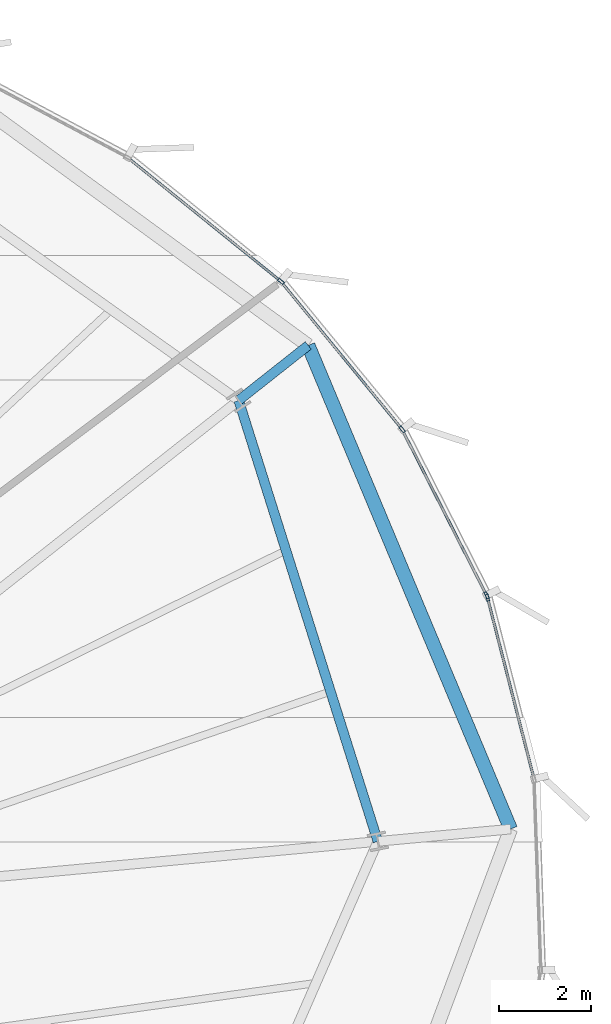
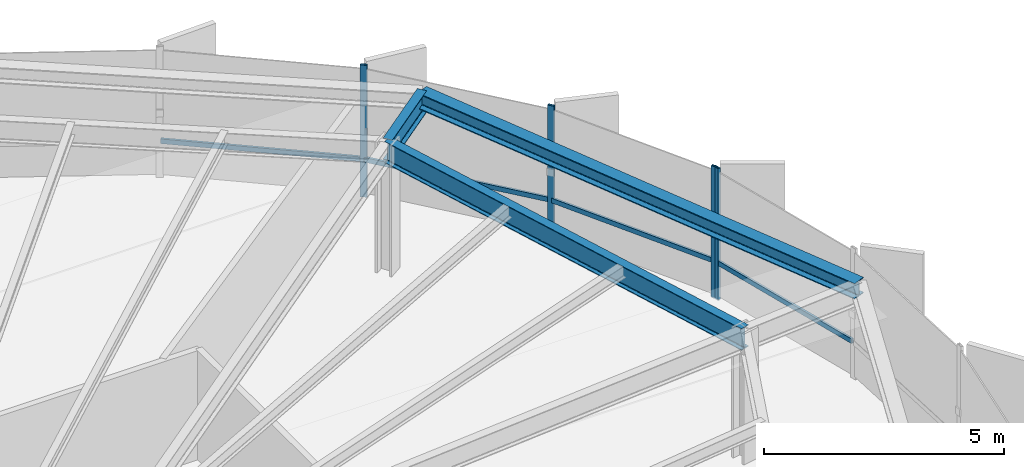
# One storey, part 24 of 33: 8 members, 3 beams, 2 elements without a shape of their own.
"""IFC4 building model written with IfcOpenShell, lengths in metres."""

from ifc_helpers import new_model, si_unit, direction, frame, origin, origin_2d, place, context, subcontext, project, spatial, hollow_rectangle, i_section, extrude, source, transform, mapped, material, layer, layer_set, material_profile, profile_set, type_object, element, aggregate, save


model = new_model("IFC4")

# Units and contexts
model_context = context("Model", 3, precision=1e-05, world=origin(), true_north=direction((0.0, 1.0)))
body_context = subcontext(model_context, "Body", "Model", "MODEL_VIEW")
ifc_project = project(units=[si_unit("LENGTHUNIT", "METRE"), si_unit("AREAUNIT", "SQUARE_METRE"), si_unit("VOLUMEUNIT", "CUBIC_METRE"), si_unit("PLANEANGLEUNIT", "RADIAN"), si_unit("MASSUNIT", "GRAM", prefix="KILO"), si_unit("THERMODYNAMICTEMPERATUREUNIT", "KELVIN")], contexts=[model_context])

# Site, building, storey
site_placement = place(None, origin())
site = spatial("IfcSite", under=ifc_project, at=site_placement, CompositionType="ELEMENT")
building_placement = place(site_placement, origin())
building = spatial("IfcBuilding", under=site, at=building_placement, Name="Kethvar Cultural Tower", CompositionType="ELEMENT")
storey_placement = place(building_placement, frame((0.0, 0.0, 118.0)))
storey = spatial("IfcBuildingStorey", under=building, at=storey_placement, Name="L29", CompositionType="ELEMENT", Elevation=118.0)

# Beams
ifc_material_1 = material(Name="Steel S355J2", Category="steel")
ifc_material_profile_1 = material_profile(ifc_material_1, i_section(OverallWidth=0.2099609375, OverallDepth=0.550048828125, WebThickness=0.010986328125, FlangeThickness=0.01708984375, FilletRadius=0.02392578125, at=origin_2d()), Name="Steel S355J2 — IPE550")
ifc_profile_set_1 = profile_set([ifc_material_profile_1], Name="Steel S355J2 — IPE550")
beam_type_1 = type_object("IfcBeamType", Name="BM-IPE550", PredefinedType="BEAM", material=ifc_profile_set_1)
shared_shape_1 = source(origin(), body_context, "Body", "SweptSolid", [
    extrude(i_section(OverallWidth=0.2099609375, OverallDepth=0.550048828125, WebThickness=0.010986328125, FlangeThickness=0.01708984375, FilletRadius=0.02392578125, at=origin_2d()), origin(), (0.0, 0.0, 1.0), 10.079345703125),
])
beam_1_placement = place(storey_placement, frame((71.6025390625, 32.7333984375, 3.072998046875), z_axis=(-0.301007326566, 0.953621827222, 0.0), x_axis=(-0.953621827222, -0.301007326566, 0.0)))
element("IfcBeam", 1, at=beam_1_placement, inside=storey, type_object=beam_type_1, Name="L29 Column Ring Tie Beam CR-01", PredefinedType="BEAM", context=body_context, shape_type="MappedRepresentation", body=[
    mapped(shared_shape_1, transform((0.0, 0.0, 0.0), scale=1.0)),
])
shared_shape_2 = source(origin(), body_context, "Body", "SweptSolid", [
    extrude(i_section(OverallWidth=0.2099609375, OverallDepth=0.550048828125, WebThickness=0.010986328125, FlangeThickness=0.01708984375, FilletRadius=0.02392578125, at=origin_2d()), origin(), (0.0, 0.0, 1.0), 1.932373046875),
])
beam_2_placement = place(storey_placement, frame((68.568603515625, 42.34521484375, 3.072998046875), z_axis=(0.784614258622, 0.619984245903, 0.0), x_axis=(-0.619984245903, 0.784614258622, 0.0)))
element("IfcBeam", 2, at=beam_2_placement, inside=storey, type_object=beam_type_1, Name="L29 Perimeter Cantilever Beam RC-02", PredefinedType="BEAM", context=body_context, shape_type="MappedRepresentation", body=[
    mapped(shared_shape_2, transform((0.0, 0.0, 0.0), scale=1.0)),
])
ifc_material_profile_2 = material_profile(ifc_material_1, i_section(OverallWidth=0.300048828125, OverallDepth=0.39990234375, WebThickness=0.013427734375, FlangeThickness=0.02392578125, FilletRadius=0.027099609375, at=origin_2d()), Name="Steel S355J2 — HEB400")
ifc_profile_set_2 = profile_set([ifc_material_profile_2], Name="Steel S355J2 — HEB400")
beam_type_2 = type_object("IfcBeamType", Name="BM-SP400", PredefinedType="SPANDREL", material=ifc_profile_set_2)
shared_shape_3 = source(origin(), body_context, "Body", "SweptSolid", [
    extrude(i_section(OverallWidth=0.300048828125, OverallDepth=0.39990234375, WebThickness=0.013427734375, FlangeThickness=0.02392578125, FilletRadius=0.027099609375, at=origin_2d()), origin(), (0.0, 0.0, 1.0), 11.427734375),
])
beam_3_placement = place(storey_placement, frame((74.49755859375, 33.001953125, 3.14794921875), z_axis=(-0.386154575618, 0.922434086387, 0.0), x_axis=(-0.922434086387, -0.386154575618, 0.0)))
element("IfcBeam", 3, at=beam_3_placement, inside=storey, type_object=beam_type_2, Name="L29 Perimeter Spandrel Beam SP-01", PredefinedType="SPANDREL", context=body_context, shape_type="MappedRepresentation", body=[
    mapped(shared_shape_3, transform((0.0, 0.0, 0.0), scale=1.0)),
])

# Curtain wall, members
ifc_material_2 = material(Name="Aluminium 6063-T6", Category="aluminium")
ifc_layer = layer(ifc_material_2, 0.179931640625, Name="Aluminium 6063-T6", Category="aluminium")
ifc_layer_set = layer_set([ifc_layer], Name="Aluminium 6063-T6 (180 mm)")
curtain_wall_type = type_object("IfcCurtainWallType", Name="CW-SYS-03-Z2", PredefinedType="NOTDEFINED", material=ifc_layer_set)
curtain_wall_1_placement = place(storey_placement, origin())
curtain_wall_1 = element("IfcCurtainWall", 4, at=curtain_wall_1_placement, inside=storey, type_object=curtain_wall_type, Name="L29 Curtain Wall Run 01", PredefinedType="NOTDEFINED")
ifc_material_profile_3 = material_profile(ifc_material_2, hollow_rectangle(XDim=0.06005859375, YDim=0.14990234375, WallThickness=0.0048828125, at=origin_2d()), Name="Aluminium 6063-T6 — RHS150x60x5")
ifc_profile_set_3 = profile_set([ifc_material_profile_3], Name="Aluminium 6063-T6 — RHS150x60x5")
member_type_1 = type_object("IfcMemberType", Name="CW-SYS-03-Z2-MUL", PredefinedType="MULLION", material=ifc_profile_set_3)
shared_shape_4 = source(origin(), body_context, "Body", "SweptSolid", [
    extrude(hollow_rectangle(XDim=0.06005859375, YDim=0.14990234375, WallThickness=0.0048828125, at=origin_2d()), origin(), (0.0, 0.0, 1.0), 3.35009765625),
])
member_1_placement = place(storey_placement, frame((73.97314453125, 38.095703125, 0.0), z_axis=(0.0, 0.0, 1.0), x_axis=(-0.891014447682, -0.453974948673, 0.0)))
member_1 = element("IfcMember", 5, at=member_1_placement, type_object=member_type_1, Name="CW-L29-R01 Mullion 1", PredefinedType="MULLION", context=body_context, shape_type="MappedRepresentation", body=[
    mapped(shared_shape_4, transform((0.0, 0.0, 0.0), scale=1.0)),
])
member_2_placement = place(storey_placement, frame((72.133544921875, 41.712646484375, 0.0), z_axis=(0.0, 0.0, 1.0), x_axis=(-0.773242918719, -0.63410991843, 0.0)))
member_2 = element("IfcMember", 6, at=member_2_placement, type_object=member_type_1, Name="CW-L29-R01 Mullion 2", PredefinedType="MULLION", context=body_context, shape_type="MappedRepresentation", body=[
    mapped(shared_shape_4, transform((0.0, 0.0, 0.0), scale=1.0)),
])
member_3_placement = place(storey_placement, frame((69.49169921875, 44.937744140625, 0.0), z_axis=(0.0, 0.0, 1.0), x_axis=(-0.628492645441, -0.777815527375, 0.0)))
member_3 = element("IfcMember", 7, at=member_3_placement, type_object=member_type_1, Name="CW-L29-R01 Mullion 3", PredefinedType="MULLION", context=body_context, shape_type="MappedRepresentation", body=[
    mapped(shared_shape_4, transform((0.0, 0.0, 0.0), scale=1.0)),
])

# Curtain wall, member
curtain_wall_2_placement = place(storey_placement, origin())
curtain_wall_2 = element("IfcCurtainWall", 8, at=curtain_wall_2_placement, inside=storey, type_object=curtain_wall_type, Name="L29 Curtain Wall Run 06", PredefinedType="NOTDEFINED")
member_4_placement = place(storey_placement, frame((73.99169921875, 38.046875, 0.0), z_axis=(0.0, 0.0, 1.0), x_axis=(-0.968578820524, -0.248706792092, 0.0)))
member_4 = element("IfcMember", 9, at=member_4_placement, type_object=member_type_1, Name="CW-L29-R06 Mullion 7", PredefinedType="MULLION", context=body_context, shape_type="MappedRepresentation", body=[
    mapped(shared_shape_4, transform((0.0, 0.0, 0.0), scale=1.0)),
])

# Member
ifc_material_profile_4 = material_profile(ifc_material_2, hollow_rectangle(XDim=0.054931640625, YDim=0.1201171875, WallThickness=0.00390625, at=origin_2d()), Name="Aluminium 6063-T6 — RHS120x55x4")
ifc_profile_set_4 = profile_set([ifc_material_profile_4], Name="Aluminium 6063-T6 — RHS120x55x4")
member_type_2 = type_object("IfcMemberType", Name="CW-SYS-03-Z2-TRN", PredefinedType="USERDEFINED", material=ifc_profile_set_4)
shared_shape_5 = source(origin(), body_context, "Body", "SweptSolid", [
    extrude(hollow_rectangle(XDim=0.054931640625, YDim=0.1201171875, WallThickness=0.00390625, at=origin_2d()), origin(), (0.0, 0.0, 1.0), 4.034912109375),
])
member_5_placement = place(storey_placement, frame((73.97119140625, 38.099609375, 0.949951171875), z_axis=(-0.453977445155, 0.891013175711, 0.0), x_axis=(-0.891013175711, -0.453977445155, 0.0)))
member_5 = element("IfcMember", 10, at=member_5_placement, type_object=member_type_2, Name="CW-L29-R01 Transom 1", ObjectType="TRANSOM", PredefinedType="USERDEFINED", context=body_context, shape_type="MappedRepresentation", body=[
    mapped(shared_shape_5, transform((0.0, 0.0, 0.0), scale=1.0)),
])

member_6_placement = place(storey_placement, frame((74.996337890625, 34.134765625, 0.949951171875), z_axis=(-0.248681042337, 0.968585432051, 0.0), x_axis=(-0.968585432051, -0.248681042337, 0.0)))
member_6 = element("IfcMember", 11, at=member_6_placement, type_object=member_type_2, Name="CW-L29-R06 Transom 6", ObjectType="TRANSOM", PredefinedType="USERDEFINED", context=body_context, shape_type="MappedRepresentation", body=[
    mapped(shared_shape_5, transform((0.0, 0.0, 0.0), scale=1.0)),
])

aggregate(curtain_wall_2, [member_4, member_6])

shared_shape_6 = source(origin(), body_context, "Body", "SweptSolid", [
    extrude(hollow_rectangle(XDim=0.054931640625, YDim=0.1201171875, WallThickness=0.00390625, at=origin_2d()), origin(), (0.0, 0.0, 1.0), 4.105712890625),
])
member_7_placement = place(storey_placement, frame((72.106201171875, 41.74609375, 0.949951171875), z_axis=(-0.634105187479, 0.773246798385, 0.0), x_axis=(-0.773246798385, -0.634105187479, 0.0)))
member_7 = element("IfcMember", 12, at=member_7_placement, type_object=member_type_2, Name="CW-L29-R01 Transom 2", ObjectType="TRANSOM", PredefinedType="USERDEFINED", context=body_context, shape_type="MappedRepresentation", body=[
    mapped(shared_shape_6, transform((0.0, 0.0, 0.0), scale=1.0)),
])

shared_shape_7 = source(origin(), body_context, "Body", "SweptSolid", [
    extrude(hollow_rectangle(XDim=0.054931640625, YDim=0.1201171875, WallThickness=0.00390625, at=origin_2d()), origin(), (0.0, 0.0, 1.0), 4.23291015625),
])
member_8_placement = place(storey_placement, frame((69.458251953125, 44.96484375, 0.949951171875), z_axis=(-0.777843578027, 0.628457928681, 0.0), x_axis=(-0.628457928681, -0.777843578027, 0.0)))
member_8 = element("IfcMember", 13, at=member_8_placement, type_object=member_type_2, Name="CW-L29-R01 Transom 3", ObjectType="TRANSOM", PredefinedType="USERDEFINED", context=body_context, shape_type="MappedRepresentation", body=[
    mapped(shared_shape_7, transform((0.0, 0.0, 0.0), scale=1.0)),
])

aggregate(curtain_wall_1, [member_1, member_2, member_3, member_5, member_7, member_8])

save(model, "model.ifc")
